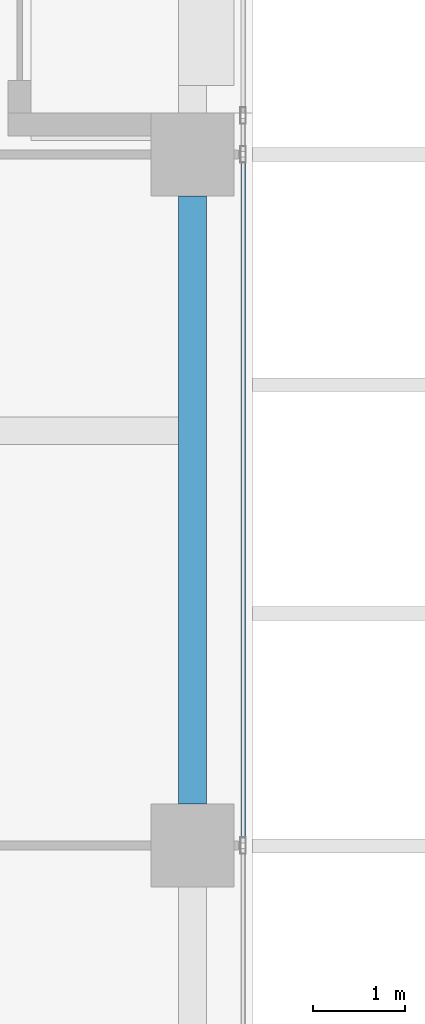
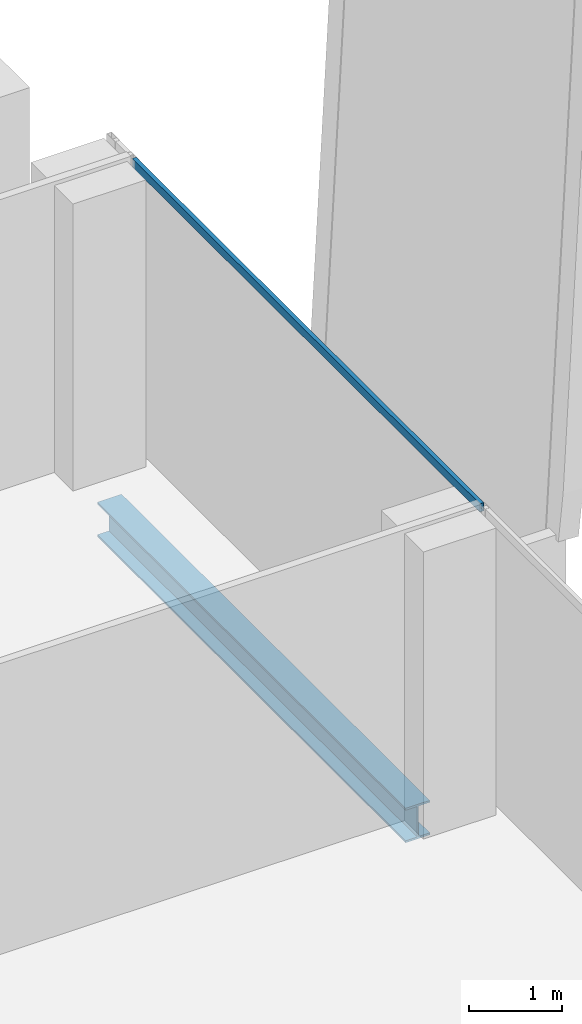
# One storey, part 13 of 35: 1 beam, 1 member, 1 element without a shape of its own.
"""IFC4 building model written with IfcOpenShell, lengths in metres."""

from ifc_helpers import new_model, si_unit, direction, frame, origin, origin_2d, place, context, subcontext, project, spatial, hollow_rectangle, i_section, extrude, source, transform, mapped, material, material_profile, profile_set, type_object, element, aggregate, save


model = new_model("IFC4")

# Units and contexts
model_context = context("Model", 3, precision=1e-05, world=origin(), true_north=direction((0.0, 1.0)))
body_context = subcontext(model_context, "Body", "Model", "MODEL_VIEW")
ifc_project = project(units=[si_unit("LENGTHUNIT", "METRE"), si_unit("AREAUNIT", "SQUARE_METRE"), si_unit("VOLUMEUNIT", "CUBIC_METRE"), si_unit("PLANEANGLEUNIT", "RADIAN"), si_unit("MASSUNIT", "GRAM", prefix="KILO")], contexts=[model_context])

# Site, building, storey
site_placement = place(None, origin())
site = spatial("IfcSite", under=ifc_project, at=site_placement, CompositionType="ELEMENT")
building_placement = place(site_placement, origin())
building = spatial("IfcBuilding", under=site, at=building_placement, Name="Khomas Fold Tower", CompositionType="ELEMENT")
storey_placement = place(building_placement, frame((0.0, 0.0, 246.199951171875)))
storey = spatial("IfcBuildingStorey", under=building, at=storey_placement, Name="L55", CompositionType="ELEMENT", Elevation=246.199951171875)

# Beam
ifc_material_1 = material(Name="Steel S355", Category="steel")
ifc_material_profile_1 = material_profile(ifc_material_1, i_section(OverallWidth=0.300048828125, OverallDepth=0.449951171875, WebThickness=0.013916015625, FlangeThickness=0.02587890625, at=origin_2d()), Name="HE 450 B")
ifc_profile_set_1 = profile_set([ifc_material_profile_1], Name="Steel S355")
beam_type = type_object("IfcBeamType", Name="HE 450 B spandrel SB4", PredefinedType="SPANDREL", material=ifc_profile_set_1)
shared_shape_1 = source(origin(), body_context, "Body", "SweptSolid", [
    extrude(i_section(OverallWidth=0.300048828125, OverallDepth=0.449951171875, WebThickness=0.013916015625, FlangeThickness=0.02587890625, at=origin_2d()), origin(), (0.0, 0.0, 1.0), 6.60009765625),
])
beam_placement = place(storey_placement, frame((48.85009765625, 27.449951171875, -0.474853515625), z_axis=(0.0, 1.0, 0.0), x_axis=(-1.0, 0.0, 0.0)))
element("IfcBeam", 1, at=beam_placement, inside=storey, type_object=beam_type, Name="SB4", PredefinedType="SPANDREL", context=body_context, shape_type="MappedRepresentation", body=[
    mapped(shared_shape_1, transform((0.0, 0.0, 0.0))),
])

# Curtain wall, member
ifc_material_2 = material(Name="Aluminium framed double glazing", Category="aluminium")
curtain_wall_type = type_object("IfcCurtainWallType", Name="SK-Unitised clear-glass wall, office floors CW2", PredefinedType="NOTDEFINED", material=ifc_material_2)
curtain_wall_placement = place(storey_placement, origin())
curtain_wall = element("IfcCurtainWall", 2, at=curtain_wall_placement, inside=storey, type_object=curtain_wall_type, Name="CW2 run L55 03-0", PredefinedType="NOTDEFINED")
ifc_material_3 = material(Name="Aluminium", Category="aluminium")
ifc_material_profile_2 = material_profile(ifc_material_3, hollow_rectangle(XDim=0.050048828125, YDim=0.110107421875, WallThickness=0.00390625, at=origin_2d()), Name="SK-Unitised clear-glass wall, office floors transom CW2-T")
ifc_profile_set_2 = profile_set([ifc_material_profile_2], Name="Aluminium")
member_type = type_object("IfcMemberType", Name="SK-Unitised clear-glass wall, office floors transom CW2-T", PredefinedType="USERDEFINED", material=ifc_profile_set_2)
shared_shape_2 = source(origin(), body_context, "Body", "SweptSolid", [
    extrude(hollow_rectangle(XDim=0.050048828125, YDim=0.110107421875, WallThickness=0.00390625, at=origin_2d()), origin(), (0.0, 0.0, 1.0), 7.43994140625),
])
member_placement = place(storey_placement, frame((49.39990234375, 27.030029296875, 3.695068359375), z_axis=(0.0, 1.0, 0.0), x_axis=(-1.0, 0.0, 0.0)))
member = element("IfcMember", 3, at=member_placement, type_object=member_type, Name="CW2 transom 4", ObjectType="TRANSOM", PredefinedType="USERDEFINED", context=body_context, shape_type="MappedRepresentation", body=[
    mapped(shared_shape_2, transform((0.0, 0.0, 0.0))),
])
aggregate(curtain_wall, [member])

save(model, "model.ifc")
